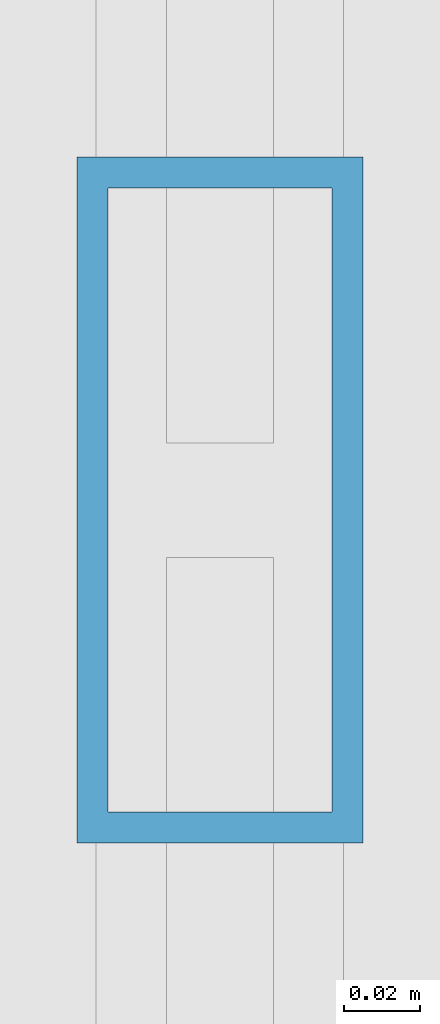
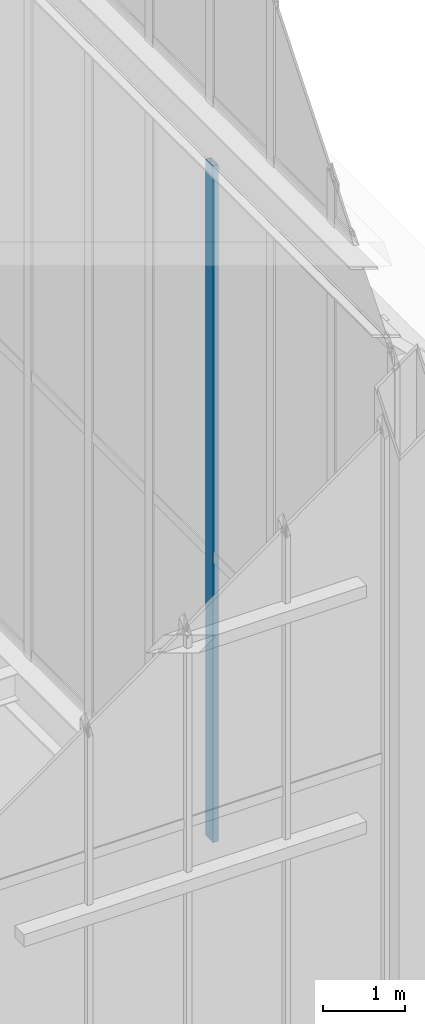
# One storey, part 56 of 135: 1 member, 1 element without a shape of its own.
"""IFC4 building model written with IfcOpenShell, lengths in metres."""

from ifc_helpers import new_model, si_unit, direction, frame, origin, origin_2d, place, context, subcontext, project, spatial, hollow_rectangle, extrude, source, transform, mapped, material, layer, layer_set, material_profile, profile_set, type_object, element, aggregate, save


model = new_model("IFC4")

# Units and contexts
model_context = context("Model", 3, precision=1e-05, world=origin(), true_north=direction((0.0, 1.0)))
body_context = subcontext(model_context, "Body", "Model", "MODEL_VIEW")
ifc_project = project(units=[si_unit("LENGTHUNIT", "METRE"), si_unit("AREAUNIT", "SQUARE_METRE"), si_unit("VOLUMEUNIT", "CUBIC_METRE"), si_unit("PLANEANGLEUNIT", "RADIAN"), si_unit("MASSUNIT", "GRAM", prefix="KILO")], contexts=[model_context])

# Site, building, storey
site_placement = place(None, origin())
site = spatial("IfcSite", under=ifc_project, at=site_placement, CompositionType="ELEMENT")
building_placement = place(site_placement, origin())
building = spatial("IfcBuilding", under=site, at=building_placement, Name="Giltprow Tower", CompositionType="ELEMENT")
storey_placement = place(building_placement, frame((0.0, 0.0, 352.699951171875)))
storey = spatial("IfcBuildingStorey", under=building, at=storey_placement, Name="L92", CompositionType="ELEMENT", Elevation=352.699951171875)

# Curtain wall, member
ifc_material = material(Name="Anodized bronze", Category="metal")
ifc_layer = layer(ifc_material, 0.179931640625, Name="Anodized bronze")
ifc_layer_set = layer_set([ifc_layer], Name="Anodized bronze")
curtain_wall_type = type_object("IfcCurtainWallType", Name="CW-CROWN-LANTERN", PredefinedType="NOTDEFINED", material=ifc_layer_set)
curtain_wall_placement = place(storey_placement, origin())
curtain_wall = element("IfcCurtainWall", 1, at=curtain_wall_placement, inside=storey, type_object=curtain_wall_type, Name="Crown East Lower Lantern Glazing 2", PredefinedType="NOTDEFINED")
ifc_material_profile = material_profile(ifc_material, hollow_rectangle(XDim=0.074951171875, YDim=0.179931640625, WallThickness=0.008056640625, at=origin_2d()), Name="RHS 180x75x8")
ifc_profile_set = profile_set([ifc_material_profile], Name="Anodized bronze")
member_type = type_object("IfcMemberType", Name="CW-MULLION-180x75", PredefinedType="MULLION", material=ifc_profile_set)
shared_shape = source(origin(), body_context, "Body", "SweptSolid", [
    extrude(hollow_rectangle(XDim=0.074951171875, YDim=0.179931640625, WallThickness=0.008056640625, at=origin_2d()), origin(), (0.0, 0.0, 1.0), 10.030029296875),
])
member_placement = place(storey_placement, frame((50.550048828125, 28.26708984375, 6.35009765625), z_axis=(0.0, 0.0, 1.0), x_axis=(1.0, 0.0, 0.0)))
member = element("IfcMember", 2, at=member_placement, type_object=member_type, Name="Crown East Lower Lantern Glazing 2 Mullion 4", PredefinedType="MULLION", context=body_context, shape_type="MappedRepresentation", body=[
    mapped(shared_shape, transform((0.0, 0.0, 0.0), x_axis=(1.0, 0.0, 0.0), y_axis=(0.0, 1.0, 0.0), z_axis=(0.0, 0.0, 1.0), scale=1.0)),
])
aggregate(curtain_wall, [member])

save(model, "model.ifc")
